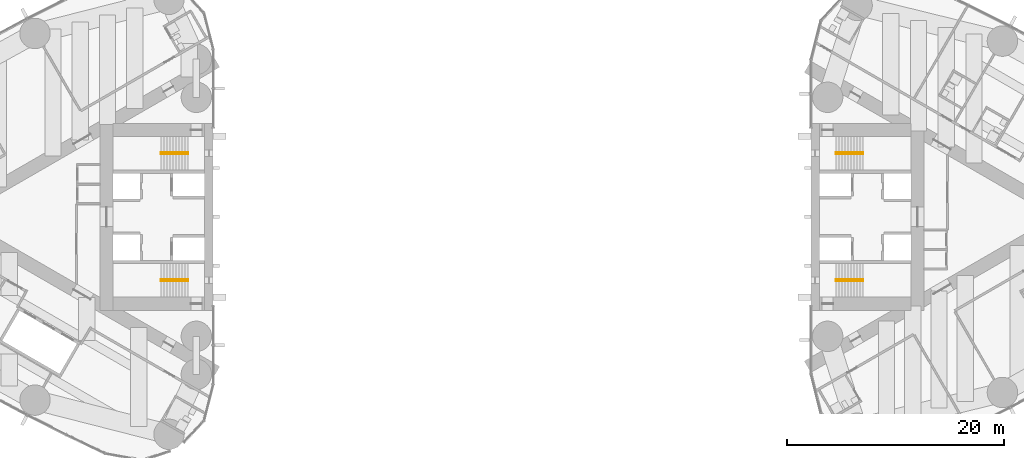
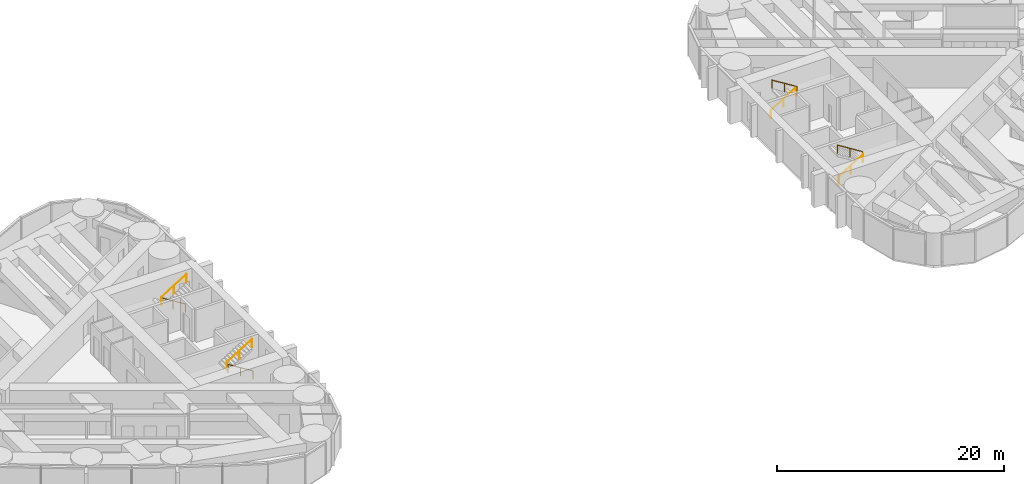
# One storey, part 18 of 19: 8 railings.
"""IFC4 building model written with IfcOpenShell, lengths in metres."""

from ifc_helpers import new_model, si_unit, direction, frame, origin, origin_2d, place, context, subcontext, project, spatial, circle, extrude, material, type_object, element, save


model = new_model("IFC4")

# Units and contexts
model_context = context("Model", 3, precision=1e-05, world=origin(), true_north=direction((0.0, 1.0)))
body_context = subcontext(model_context, "Body", "Model", "MODEL_VIEW")
ifc_project = project(units=[si_unit("LENGTHUNIT", "METRE"), si_unit("AREAUNIT", "SQUARE_METRE"), si_unit("VOLUMEUNIT", "CUBIC_METRE"), si_unit("PLANEANGLEUNIT", "RADIAN"), si_unit("MASSUNIT", "GRAM", prefix="KILO")], contexts=[model_context])

# Site, building, storey
site_placement = place(None, origin())
site = spatial("IfcSite", under=ifc_project, at=site_placement, CompositionType="ELEMENT")
building_placement = place(site_placement, origin())
building = spatial("IfcBuilding", under=site, at=building_placement, Name="Lancet Gate Hotel", CompositionType="ELEMENT")
storey_placement = place(building_placement, frame((0.0, 0.0, 163.300048828125)))
storey = spatial("IfcBuildingStorey", under=building, at=storey_placement, Name="L43", CompositionType="ELEMENT", Elevation=163.300048828125)

# Railings
ifc_material = material(Name="Stainless steel handrail", Category="steel")
railing_type = type_object("IfcRailingType", Name="Stair handrail 900", PredefinedType="HANDRAIL", material=ifc_material)
railing_1_placement = place(storey_placement, frame((-29.800048828125, 5.929931640625, 0.175048828125)))
element("IfcRailing", 1, at=railing_1_placement, inside=storey, type_object=railing_type, Name="ST1 handrail flight 1 L43", PredefinedType="HANDRAIL", context=body_context, shape_type="SweptSolid", body=[
    extrude(circle(Radius=0.02392578125, at=origin_2d()), frame((0.0, 0.0, 0.8759765625), z_axis=(-0.848007534815, 0.0, 0.529984170421), x_axis=(0.0, -1.0, 0.0)), (0.0, 0.0, 1.0), 2.9716796875),
    extrude(circle(Radius=0.02099609375, at=origin_2d()), origin(), (0.0, 0.0, 1.0), 0.851806640625),
    extrude(circle(Radius=0.02099609375, at=origin_2d()), frame((-1.260009765625, 0.0, 0.78759765625)), (0.0, 0.0, 1.0), 0.851806640625),
    extrude(circle(Radius=0.02099609375, at=origin_2d()), frame((-2.52001953125, 0.0, 1.574951171875)), (0.0, 0.0, 1.0), 0.851806640625),
])
railing_2_placement = place(storey_placement, frame((-32.320068359375, 5.77001953125, 1.925048828125)))
element("IfcRailing", 2, at=railing_2_placement, inside=storey, type_object=railing_type, Name="ST1 handrail flight 2 L43", PredefinedType="HANDRAIL", context=body_context, shape_type="SweptSolid", body=[
    extrude(circle(Radius=0.02392578125, at=origin_2d()), frame((0.0, 0.0, 0.8759765625), z_axis=(0.848007534815, 0.0, 0.529984170421), x_axis=(0.0, 1.0, 0.0)), (0.0, 0.0, 1.0), 2.9716796875),
    extrude(circle(Radius=0.02099609375, at=origin_2d()), origin(), (0.0, 0.0, 1.0), 0.851806640625),
    extrude(circle(Radius=0.02099609375, at=origin_2d()), frame((1.260009765625, 0.0, 0.78759765625)), (0.0, 0.0, 1.0), 0.851806640625),
    extrude(circle(Radius=0.02099609375, at=origin_2d()), frame((2.52001953125, 0.0, 1.574951171875)), (0.0, 0.0, 1.0), 0.851806640625),
])
railing_3_placement = place(storey_placement, frame((-29.800048828125, -5.929931640625, 0.175048828125)))
element("IfcRailing", 3, at=railing_3_placement, inside=storey, type_object=railing_type, Name="ST2 handrail flight 1 L43", PredefinedType="HANDRAIL", context=body_context, shape_type="SweptSolid", body=[
    extrude(circle(Radius=0.02392578125, at=origin_2d()), frame((0.0, 0.0, 0.8759765625), z_axis=(-0.848007534815, 0.0, 0.529984170421), x_axis=(0.0, -1.0, 0.0)), (0.0, 0.0, 1.0), 2.9716796875),
    extrude(circle(Radius=0.02099609375, at=origin_2d()), origin(), (0.0, 0.0, 1.0), 0.851806640625),
    extrude(circle(Radius=0.02099609375, at=origin_2d()), frame((-1.260009765625, 0.0, 0.78759765625)), (0.0, 0.0, 1.0), 0.851806640625),
    extrude(circle(Radius=0.02099609375, at=origin_2d()), frame((-2.52001953125, 0.0, 1.574951171875)), (0.0, 0.0, 1.0), 0.851806640625),
])
for number, where, name in (
    (4, (-32.320068359375, -5.77001953125, 1.925048828125), "ST2 handrail flight 2 L43"),
    (5, (29.800048828125, -5.929931640625, 0.175048828125), "ST3 handrail flight 1 L43"),
):
    element("IfcRailing", number, at=place(storey_placement, frame(where)), inside=storey, type_object=railing_type, Name=name, PredefinedType="HANDRAIL", context=body_context, shape_type="SweptSolid", body=[
        extrude(circle(Radius=0.02392578125, at=origin_2d()), frame((0.0, 0.0, 0.8759765625), z_axis=(0.848007534815, 0.0, 0.529984170421), x_axis=(0.0, 1.0, 0.0)), (0.0, 0.0, 1.0), 2.9716796875),
        extrude(circle(Radius=0.02099609375, at=origin_2d()), origin(), (0.0, 0.0, 1.0), 0.851806640625),
        extrude(circle(Radius=0.02099609375, at=origin_2d()), frame((1.260009765625, 0.0, 0.78759765625)), (0.0, 0.0, 1.0), 0.851806640625),
        extrude(circle(Radius=0.02099609375, at=origin_2d()), frame((2.52001953125, 0.0, 1.574951171875)), (0.0, 0.0, 1.0), 0.851806640625),
    ])
railing_4_placement = place(storey_placement, frame((32.320068359375, -5.77001953125, 1.925048828125)))
element("IfcRailing", 6, at=railing_4_placement, inside=storey, type_object=railing_type, Name="ST3 handrail flight 2 L43", PredefinedType="HANDRAIL", context=body_context, shape_type="SweptSolid", body=[
    extrude(circle(Radius=0.02392578125, at=origin_2d()), frame((0.0, 0.0, 0.8759765625), z_axis=(-0.848007534815, 0.0, 0.529984170421), x_axis=(0.0, -1.0, 0.0)), (0.0, 0.0, 1.0), 2.9716796875),
    extrude(circle(Radius=0.02099609375, at=origin_2d()), origin(), (0.0, 0.0, 1.0), 0.851806640625),
    extrude(circle(Radius=0.02099609375, at=origin_2d()), frame((-1.260009765625, 0.0, 0.78759765625)), (0.0, 0.0, 1.0), 0.851806640625),
    extrude(circle(Radius=0.02099609375, at=origin_2d()), frame((-2.52001953125, 0.0, 1.574951171875)), (0.0, 0.0, 1.0), 0.851806640625),
])
railing_5_placement = place(storey_placement, frame((29.800048828125, 5.929931640625, 0.175048828125)))
element("IfcRailing", 7, at=railing_5_placement, inside=storey, type_object=railing_type, Name="ST4 handrail flight 1 L43", PredefinedType="HANDRAIL", context=body_context, shape_type="SweptSolid", body=[
    extrude(circle(Radius=0.02392578125, at=origin_2d()), frame((0.0, 0.0, 0.8759765625), z_axis=(0.848007534815, 0.0, 0.529984170421), x_axis=(0.0, 1.0, 0.0)), (0.0, 0.0, 1.0), 2.9716796875),
    extrude(circle(Radius=0.02099609375, at=origin_2d()), origin(), (0.0, 0.0, 1.0), 0.851806640625),
    extrude(circle(Radius=0.02099609375, at=origin_2d()), frame((1.260009765625, 0.0, 0.78759765625)), (0.0, 0.0, 1.0), 0.851806640625),
    extrude(circle(Radius=0.02099609375, at=origin_2d()), frame((2.52001953125, 0.0, 1.574951171875)), (0.0, 0.0, 1.0), 0.851806640625),
])
railing_6_placement = place(storey_placement, frame((32.320068359375, 5.77001953125, 1.925048828125)))
element("IfcRailing", 8, at=railing_6_placement, inside=storey, type_object=railing_type, Name="ST4 handrail flight 2 L43", PredefinedType="HANDRAIL", context=body_context, shape_type="SweptSolid", body=[
    extrude(circle(Radius=0.02392578125, at=origin_2d()), frame((0.0, 0.0, 0.8759765625), z_axis=(-0.848007534815, 0.0, 0.529984170421), x_axis=(0.0, -1.0, 0.0)), (0.0, 0.0, 1.0), 2.9716796875),
    extrude(circle(Radius=0.02099609375, at=origin_2d()), origin(), (0.0, 0.0, 1.0), 0.851806640625),
    extrude(circle(Radius=0.02099609375, at=origin_2d()), frame((-1.260009765625, 0.0, 0.78759765625)), (0.0, 0.0, 1.0), 0.851806640625),
    extrude(circle(Radius=0.02099609375, at=origin_2d()), frame((-2.52001953125, 0.0, 1.574951171875)), (0.0, 0.0, 1.0), 0.851806640625),
])

save(model, "model.ifc")
